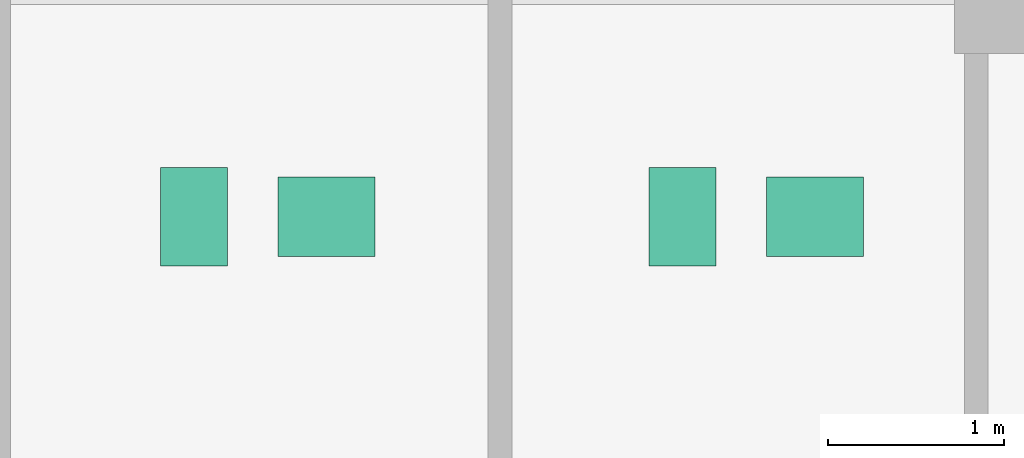
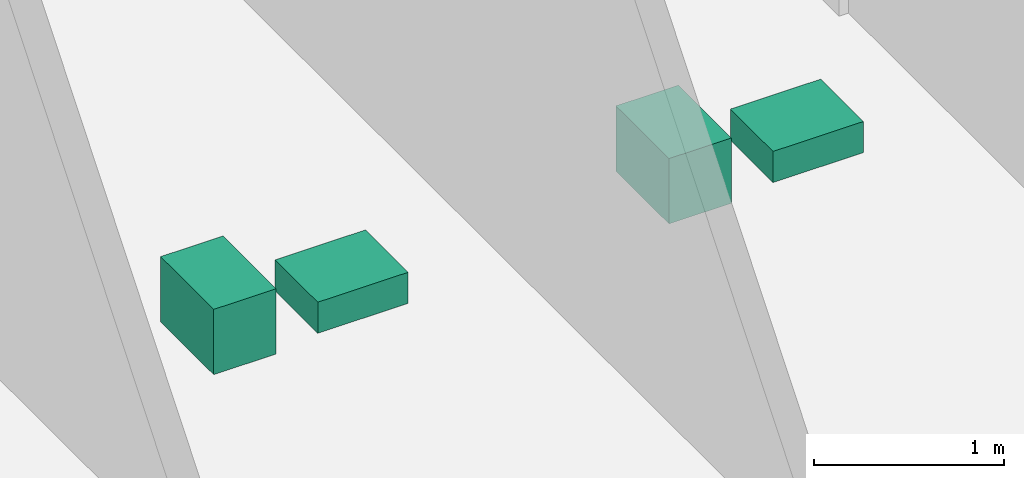
# One storey, part 38 of 39: 4 sanitary terminals.
"""IFC4 building model written with IfcOpenShell, lengths in metres."""

from ifc_helpers import new_model, si_unit, direction, frame, origin, origin_2d, place, context, subcontext, project, spatial, rectangle, extrude, material, type_object, element, save


model = new_model("IFC4")

# Units and contexts
model_context = context("Model", 3, precision=1e-05, world=origin(), true_north=direction((0.0, 1.0)))
body_context = subcontext(model_context, "Body", "Model", "MODEL_VIEW")
ifc_project = project(units=[si_unit("LENGTHUNIT", "METRE"), si_unit("AREAUNIT", "SQUARE_METRE"), si_unit("VOLUMEUNIT", "CUBIC_METRE"), si_unit("PLANEANGLEUNIT", "RADIAN"), si_unit("MASSUNIT", "GRAM", prefix="KILO")], contexts=[model_context])

# Site, building, storey
site_placement = place(None, origin())
site = spatial("IfcSite", under=ifc_project, at=site_placement, CompositionType="ELEMENT")
building_placement = place(site_placement, origin())
building = spatial("IfcBuilding", under=site, at=building_placement, Name="Zuhayl Quay Hotel", CompositionType="ELEMENT")
storey_placement = place(building_placement, origin())
storey = spatial("IfcBuildingStorey", under=building, at=storey_placement, Name="L00", CompositionType="ELEMENT", Elevation=0.0)

# Sanitary terminals
ifc_material = material(Name="Vitreous Porcelain Sanitaryware")
sanitary_terminal_type_1 = type_object("IfcSanitaryTerminalType", Name="SAN_BASIN", PredefinedType="WASHHANDBASIN", material=ifc_material)
for number, where, z_axis, x_axis, name in (
    (1, (26.514892578125, 20.85009765625, 0.0), (0.0, 0.0, 1.0), (1.0, 0.0, 0.0), "L00 Sanitary Fixture WASHHANDBASIN"),
    (2, (29.284912109375, 20.85009765625, 0.0), (0.0, 0.0, 1.0), (1.0, 0.0, 0.0), "L00 Sanitary Fixture WASHHANDBASIN"),
):
    element("IfcSanitaryTerminal", number, at=place(storey_placement, frame(where, z_axis=z_axis, x_axis=x_axis)), inside=storey, type_object=sanitary_terminal_type_1, Name=name, PredefinedType="WASHHANDBASIN", context=body_context, shape_type="SweptSolid", body=[
        extrude(rectangle(XDim=0.550048828125, YDim=0.449951171875, at=origin_2d()), origin(), (0.0, 0.0, 1.0), 0.199951171875),
    ])
sanitary_terminal_type_2 = type_object("IfcSanitaryTerminalType", Name="SAN_WC", PredefinedType="TOILETPAN", material=ifc_material)
for number, where, z_axis, x_axis, name in (
    (3, (25.764892578125, 20.85009765625, 0.0), (0.0, 0.0, 1.0), (1.0, 0.0, 0.0), "L00 Sanitary Fixture TOILETPAN"),
    (4, (28.534912109375, 20.85009765625, 0.0), (0.0, 0.0, 1.0), (1.0, 0.0, 0.0), "L00 Sanitary Fixture TOILETPAN"),
):
    element("IfcSanitaryTerminal", number, at=place(storey_placement, frame(where, z_axis=z_axis, x_axis=x_axis)), inside=storey, type_object=sanitary_terminal_type_2, Name=name, PredefinedType="TOILETPAN", context=body_context, shape_type="SweptSolid", body=[
        extrude(rectangle(XDim=0.3798828125, YDim=0.56005859375, at=origin_2d()), origin(), (0.0, 0.0, 1.0), 0.419921875),
    ])

save(model, "model.ifc")
